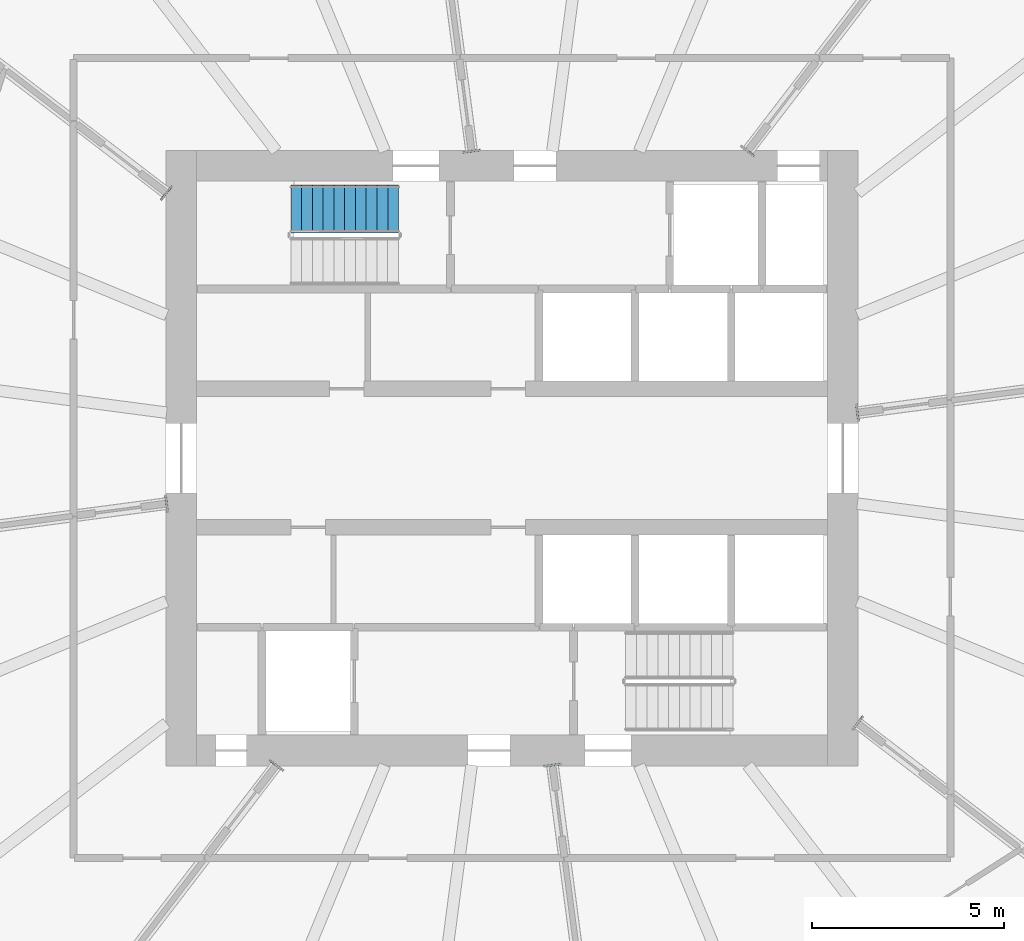
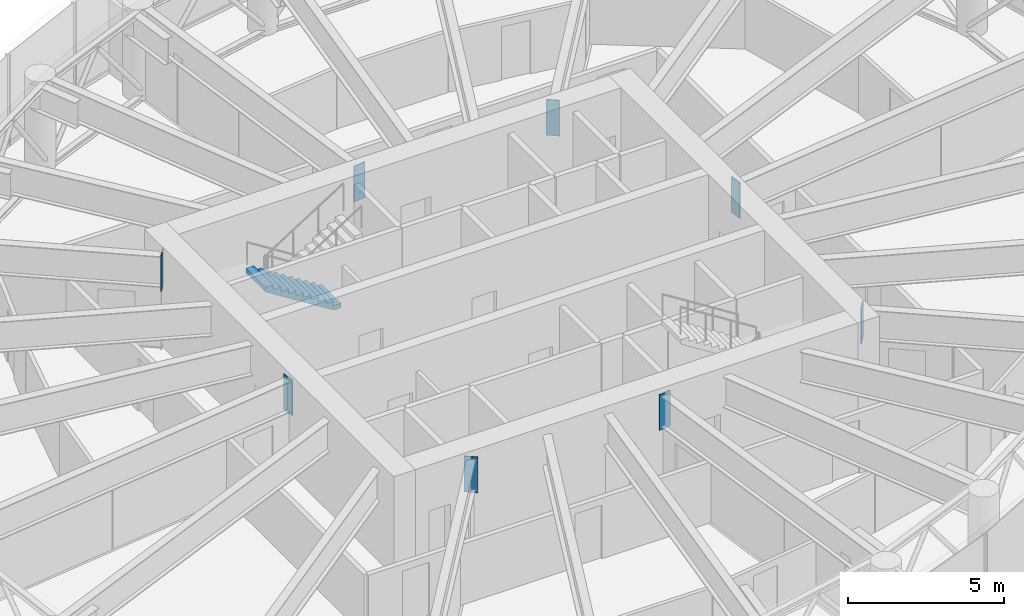
# One storey, part 16 of 25: 8 discrete accessories, 1 stair flight, 1 element without a shape of its own.
"""IFC4 building model written with IfcOpenShell, lengths in metres."""

from ifc_helpers import new_model, si_unit, direction, frame, origin, origin_2d, place, context, subcontext, project, spatial, line, indexed_curve, rectangle, outline, extrude, source, transform, mapped, material, layer, layer_set, type_object, element, aggregate, save


model = new_model("IFC4")

# Units and contexts
model_context = context("Model", 3, precision=1e-05, world=origin(), true_north=direction((0.0, 1.0)))
body_context = subcontext(model_context, "Body", "Model", "MODEL_VIEW")
ifc_project = project(units=[si_unit("LENGTHUNIT", "METRE"), si_unit("AREAUNIT", "SQUARE_METRE"), si_unit("VOLUMEUNIT", "CUBIC_METRE"), si_unit("PLANEANGLEUNIT", "RADIAN"), si_unit("MASSUNIT", "GRAM", prefix="KILO")], contexts=[model_context])

# Site, building, storey
site_placement = place(None, origin())
site = spatial("IfcSite", under=ifc_project, at=site_placement, CompositionType="ELEMENT")
building_placement = place(site_placement, origin())
building = spatial("IfcBuilding", under=site, at=building_placement, Name="Spindrift Exchange Tower", CompositionType="ELEMENT")
storey_placement = place(building_placement, frame((0.0, 0.0, 179.89990234375)))
storey = spatial("IfcBuildingStorey", under=building, at=storey_placement, Name="L43", CompositionType="ELEMENT", Elevation=179.89990234375)

# Stair, stair flight
ifc_material_1 = material(Name="Concrete 50 MPa", Category="concrete")
stair_type = type_object("IfcStairType", Name="ST-1250-R177", PredefinedType="HALF_TURN_STAIR", material=ifc_material_1)
stair_placement = place(storey_placement, origin())
stair = element("IfcStair", 1, at=stair_placement, inside=storey, type_object=stair_type, Name="L43 Exit stair ST1", PredefinedType="HALF_TURN_STAIR")
stair_flight_type = type_object("IfcStairFlightType", Name="STF-1250-R177", PredefinedType="STRAIGHT", material=ifc_material_1)
stair_flight_placement = place(storey_placement, frame((49.050048828125, 54.47509765625, 0.0), z_axis=(0.0, 0.0, 1.0), x_axis=(-1.0, 0.0, 0.0)))
stair_flight = element("IfcStairFlight", 2, at=stair_flight_placement, type_object=stair_flight_type, Name="ST1 flight 1", NumberOfRisers=11, NumberOfTreads=10, PredefinedType="STRAIGHT", RiserHeight=0.177272727, TreadLength=0.28, context=body_context, shape_type="SweptSolid", body=[
    extrude(outline(indexed_curve([(0.0, 0.0), (0.0, 0.177734375), (0.2802734375, 0.177734375), (0.2802734375, 0.3544921875), (0.5595703125, 0.3544921875), (0.5595703125, 0.5322265625), (0.83984375, 0.5322265625), (0.83984375, 0.708984375), (1.1201171875, 0.708984375), (1.1201171875, 0.88671875), (1.400390625, 0.88671875), (1.400390625, 1.0634765625), (1.6796875, 1.0634765625), (1.6796875, 1.2412109375), (1.9599609375, 1.2412109375), (1.9599609375, 1.41796875), (2.240234375, 1.41796875), (2.240234375, 1.595703125), (2.51953125, 1.595703125), (2.51953125, 1.7724609375), (2.7998046875, 1.7724609375), (2.7998046875, 1.9501953125), (2.7998046875, 1.595703125), (0.2802734375, 0.0)], segments=[line(1, 2, 3, 4, 5, 6, 7, 8, 9, 10, 11, 12, 13, 14, 15, 16, 17, 18, 19, 20, 21, 22, 23, 24, 1)], self_intersect=False)), frame((0.0, 0.625, 0.0), z_axis=(0.0, -1.0, 0.0), x_axis=(1.0, 0.0, 0.0)), (0.0, 0.0, 1.0), 1.25),
])
aggregate(stair, [stair_flight])

# Discrete accessories
ifc_material_2 = material(Name="Steel Grade 350", Category="steel")
ifc_layer = layer(ifc_material_2, 0.0400390625)
ifc_layer_set = layer_set([ifc_layer], Name="Cast-in plate 450x1400x40 Steel Grade 350")
discrete_accessory_type = type_object("IfcDiscreteAccessoryType", Name="Cast-in plate 450x1400x40 Steel Grade 350", PredefinedType="USERDEFINED", material=ifc_layer_set)
shared_shape = source(origin(), body_context, "Body", "SweptSolid", [
    extrude(rectangle(XDim=0.0400390625, YDim=0.449951171875, at=origin_2d()), origin(), (0.0, 0.0, 1.0), 1.39990234375),
])
for number, where, z_axis, x_axis, name in (
    (3, (60.980224609375, 49.182373046875, 2.280029296875), (0.0, 0.0, 1.0), (0.991444861374, 0.13052619222, 0.0), "L43 cast-in plate CP1 01"),
    (4, (58.12646484375, 55.984130859375, 2.280029296875), (0.0, 0.0, 1.0), (0.608761429009, 0.793353340291, 0.0), "L43 cast-in plate CP1 04"),
    (5, (50.949462890625, 55.980224609375, 2.280029296875), (0.0, 0.0, 1.0), (-0.13052619222, 0.991444861374, 0.0), "L43 cast-in plate CP1 07"),
    (6, (43.015869140625, 54.893798828125, 2.280029296875), (0.0, 0.0, 1.0), (-0.793353340291, 0.608761429009, 0.0), "L43 cast-in plate CP1 10"),
    (7, (43.019775390625, 46.817626953125, 2.280029296875), (0.0, 0.0, 1.0), (-0.991444861374, -0.13052619222, 0.0), "L43 cast-in plate CP1 13"),
    (8, (45.87353515625, 40.015869140625, 2.280029296875), (0.0, 0.0, 1.0), (-0.608761429009, -0.793353340291, 0.0), "L43 cast-in plate CP1 16"),
    (9, (53.050537109375, 40.019775390625, 2.280029296875), (0.0, 0.0, 1.0), (0.13052619222, -0.991444861374, 0.0), "L43 cast-in plate CP1 19"),
    (10, (60.984130859375, 41.106201171875, 2.280029296875), (0.0, 0.0, 1.0), (0.793353340291, -0.608761429009, 0.0), "L43 cast-in plate CP1 22"),
):
    element("IfcDiscreteAccessory", number, at=place(storey_placement, frame(where, z_axis=z_axis, x_axis=x_axis)), inside=storey, type_object=discrete_accessory_type, Name=name, ObjectType="Cast-in plate", PredefinedType="USERDEFINED", context=body_context, shape_type="MappedRepresentation", body=[
        mapped(shared_shape, transform((0.0, 0.0, 0.0), scale=1.0)),
    ])

save(model, "model.ifc")
